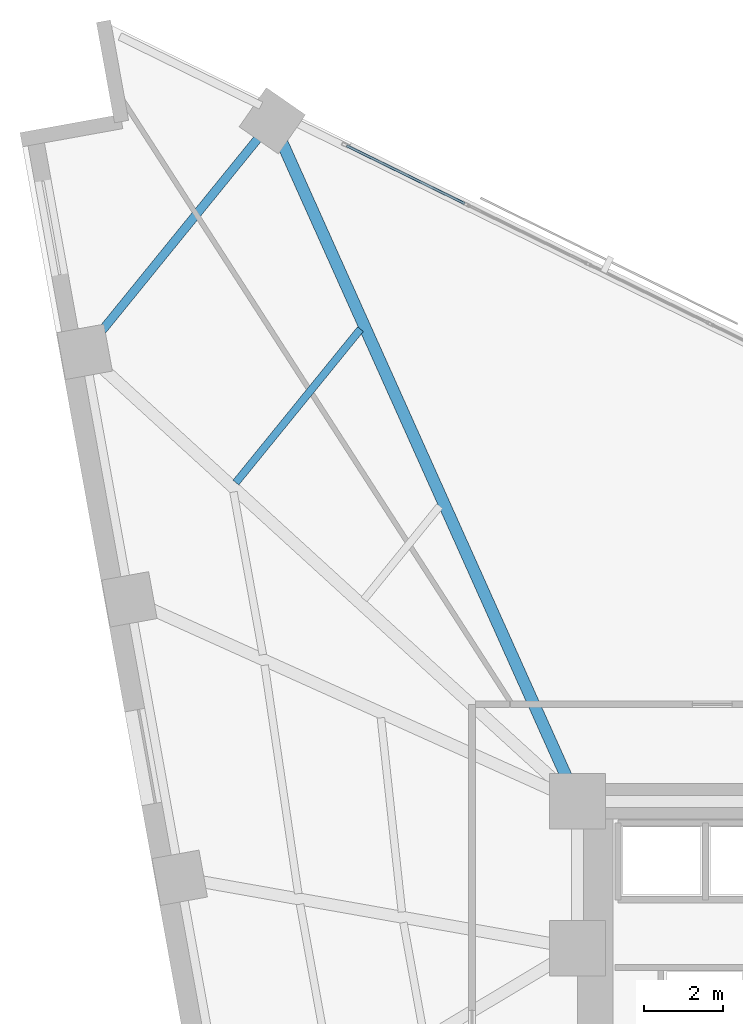
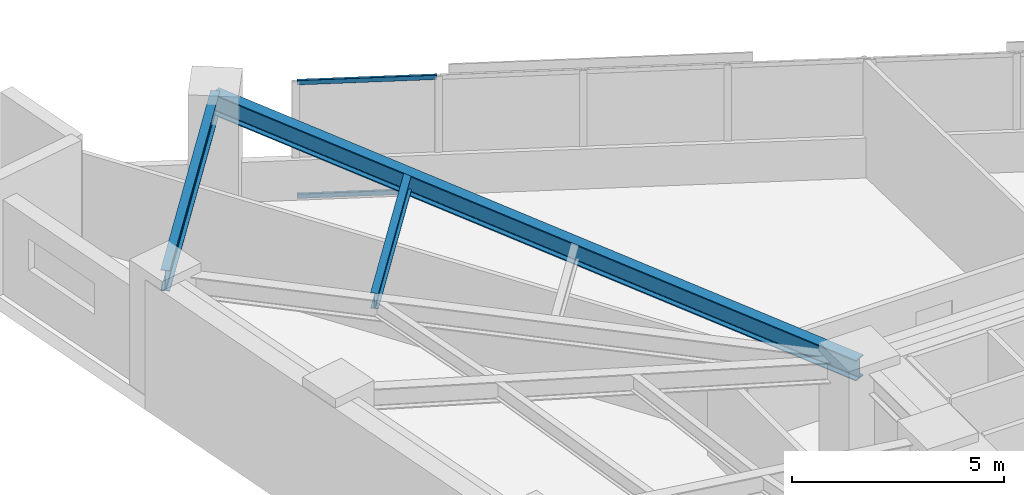
# One storey, part 9 of 18: 3 beams, 2 members, 1 element without a shape of its own.
"""IFC4 building model written with IfcOpenShell, lengths in metres."""

from ifc_helpers import new_model, si_unit, direction, frame, origin, origin_2d, place, context, subcontext, project, spatial, hollow_rectangle, i_section, extrude, material, material_profile, profile_set, type_object, element, aggregate, save


model = new_model("IFC4")

# Units and contexts
model_context = context("Model", 3, precision=1e-05, world=origin(), true_north=direction((0.0, 1.0)))
body_context = subcontext(model_context, "Body", "Model", "MODEL_VIEW")
ifc_project = project(units=[si_unit("LENGTHUNIT", "METRE"), si_unit("AREAUNIT", "SQUARE_METRE"), si_unit("VOLUMEUNIT", "CUBIC_METRE"), si_unit("PLANEANGLEUNIT", "RADIAN"), si_unit("MASSUNIT", "GRAM", prefix="KILO")], contexts=[model_context])

# Site, building, storey
site_placement = place(None, origin())
site = spatial("IfcSite", under=ifc_project, at=site_placement, CompositionType="ELEMENT")
building_placement = place(site_placement, origin())
building = spatial("IfcBuilding", under=site, at=building_placement, Name="Narakoshi Arena Tower", CompositionType="ELEMENT")
storey_placement = place(building_placement, frame((0.0, 0.0, 95.699951171875)))
storey = spatial("IfcBuildingStorey", under=building, at=storey_placement, Name="L25", CompositionType="ELEMENT", Elevation=95.699951171875)

# Beams
ifc_material_1 = material(Name="Structural steel S355J2", Category="steel")
ifc_material_profile_1 = material_profile(ifc_material_1, i_section(OverallWidth=0.219970703125, OverallDepth=0.60009765625, WebThickness=0.011962890625, FlangeThickness=0.01904296875, FilletRadius=0.02392578125, at=origin_2d()), Name="IPE600")
ifc_profile_set_1 = profile_set([ifc_material_profile_1], Name="Structural steel S355J2")
beam_type_1 = type_object("IfcBeamType", Name="BM-EDGE-600", PredefinedType="BEAM", material=ifc_profile_set_1)
beam_1_placement = place(storey_placement, frame((64.31787109375, 73.633056640625, 3.0400390625), z_axis=(-0.630427035182, -0.776248512598, 0.0), x_axis=(0.776248512598, -0.630427035182, 0.0)))
element("IfcBeam", 1, at=beam_1_placement, inside=storey, type_object=beam_type_1, Name="L25 Perimeter Edge Girder 09", PredefinedType="BEAM", context=body_context, shape_type="SweptSolid", body=[
    extrude(i_section(OverallWidth=0.219970703125, OverallDepth=0.60009765625, WebThickness=0.011962890625, FlangeThickness=0.01904296875, FilletRadius=0.02392578125, at=origin_2d()), origin(), (0.0, 0.0, 1.0), 7.493896484375),
])
ifc_material_profile_2 = material_profile(ifc_material_1, i_section(OverallWidth=0.300048828125, OverallDepth=0.60009765625, WebThickness=0.015380859375, FlangeThickness=0.030029296875, FilletRadius=0.027099609375, at=origin_2d()), Name="HE600B")
ifc_profile_set_2 = profile_set([ifc_material_profile_2], Name="Structural steel S355J2")
beam_type_2 = type_object("IfcBeamType", Name="BM-PRI-600", PredefinedType="BEAM", material=ifc_profile_set_2)
beam_2_placement = place(storey_placement, frame((72.0, 56.5, 3.0400390625), z_axis=(-0.409135423529, 0.91247367371, 0.0), x_axis=(-0.91247367371, -0.409135423529, 0.0)))
element("IfcBeam", 2, at=beam_2_placement, inside=storey, type_object=beam_type_2, Name="L25 Radial Primary Floor Girder 09", PredefinedType="BEAM", context=body_context, shape_type="SweptSolid", body=[
    extrude(i_section(OverallWidth=0.300048828125, OverallDepth=0.60009765625, WebThickness=0.015380859375, FlangeThickness=0.030029296875, FilletRadius=0.027099609375, at=origin_2d()), origin(), (0.0, 0.0, 1.0), 18.776611328125),
])
ifc_material_profile_3 = material_profile(ifc_material_1, i_section(OverallWidth=0.18994140625, OverallDepth=0.449951171875, WebThickness=0.009521484375, FlangeThickness=0.0146484375, FilletRadius=0.02099609375, at=origin_2d()), Name="IPE450")
ifc_profile_set_3 = profile_set([ifc_material_profile_3], Name="Structural steel S355J2")
beam_type_3 = type_object("IfcBeamType", Name="BM-SEC-450", PredefinedType="JOIST", material=ifc_profile_set_3)
beam_3_placement = place(storey_placement, frame((66.537353515625, 68.38818359375, 3.114990234375), z_axis=(-0.630422662324, -0.776252063977, 0.0), x_axis=(0.776252063977, -0.630422662324, 0.0)))
element("IfcBeam", 3, at=beam_3_placement, inside=storey, type_object=beam_type_3, Name="L25 Composite Secondary Floor Joist 10", PredefinedType="JOIST", context=body_context, shape_type="SweptSolid", body=[
    extrude(i_section(OverallWidth=0.18994140625, OverallDepth=0.449951171875, WebThickness=0.009521484375, FlangeThickness=0.0146484375, FilletRadius=0.02099609375, at=origin_2d()), origin(), (0.0, 0.0, 1.0), 4.9755859375),
])

# Curtain wall, members
ifc_material_2 = material(Name="Anodised bronze aluminium 6063-T6", Category="aluminium")
curtain_wall_type = type_object("IfcCurtainWallType", Name="CW-HYP-LOW", PredefinedType="NOTDEFINED", material=ifc_material_2)
curtain_wall_placement = place(storey_placement, origin())
curtain_wall = element("IfcCurtainWall", 4, at=curtain_wall_placement, inside=storey, type_object=curtain_wall_type, Name="L25 Folded Hypotenuse Curtain Wall 2-1", PredefinedType="NOTDEFINED")
ifc_material_profile_4 = material_profile(ifc_material_2, hollow_rectangle(XDim=0.06494140625, YDim=0.1298828125, WallThickness=0.00390625, OuterFilletRadius=0.0048828125, at=origin_2d()), Name="TRN130x65x4")
ifc_profile_set_4 = profile_set([ifc_material_profile_4], Name="Anodised bronze aluminium 6063-T6")
member_type = type_object("IfcMemberType", Name="MEM-TRN-130", PredefinedType="USERDEFINED", material=ifc_profile_set_4)
member_1_placement = place(storey_placement, frame((69.1591796875, 71.55029296875, 0.032470703125), z_axis=(-0.898012158644, 0.439970638711, 0.0), x_axis=(-0.439970638711, -0.898012158644, 0.0)))
member_1 = element("IfcMember", 5, at=member_1_placement, type_object=member_type, Name="CW-01 transom 7.1", ObjectType="TRANSOM", PredefinedType="USERDEFINED", context=body_context, shape_type="SweptSolid", body=[
    extrude(hollow_rectangle(XDim=0.06494140625, YDim=0.1298828125, WallThickness=0.00390625, OuterFilletRadius=0.0048828125, at=origin_2d()), origin(), (0.0, 0.0, 1.0), 3.31005859375),
])
member_2_placement = place(storey_placement, frame((69.1591796875, 71.55029296875, 3.3076171875), z_axis=(-0.898012158644, 0.439970638711, 0.0), x_axis=(-0.439970638711, -0.898012158644, 0.0)))
member_2 = element("IfcMember", 6, at=member_2_placement, type_object=member_type, Name="CW-01 transom 7.2", ObjectType="TRANSOM", PredefinedType="USERDEFINED", context=body_context, shape_type="SweptSolid", body=[
    extrude(hollow_rectangle(XDim=0.06494140625, YDim=0.1298828125, WallThickness=0.00390625, OuterFilletRadius=0.0048828125, at=origin_2d()), origin(), (0.0, 0.0, 1.0), 3.31005859375),
])
aggregate(curtain_wall, [member_1, member_2])

save(model, "model.ifc")
